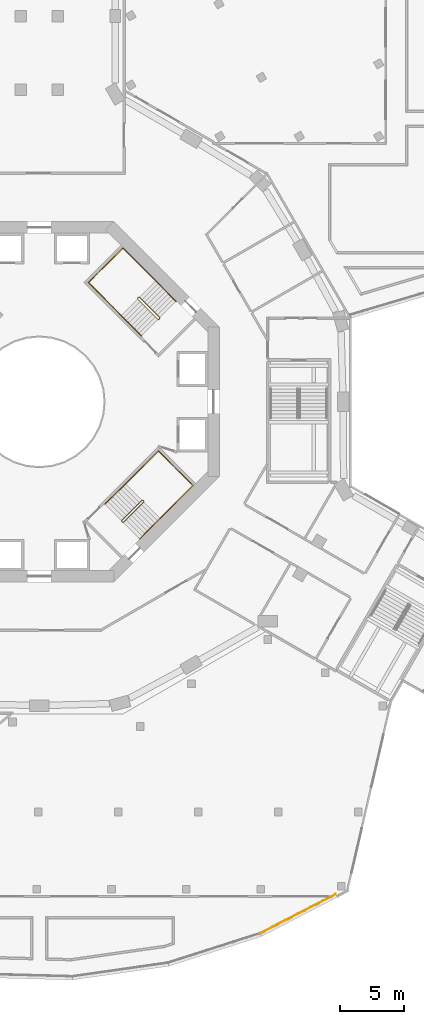
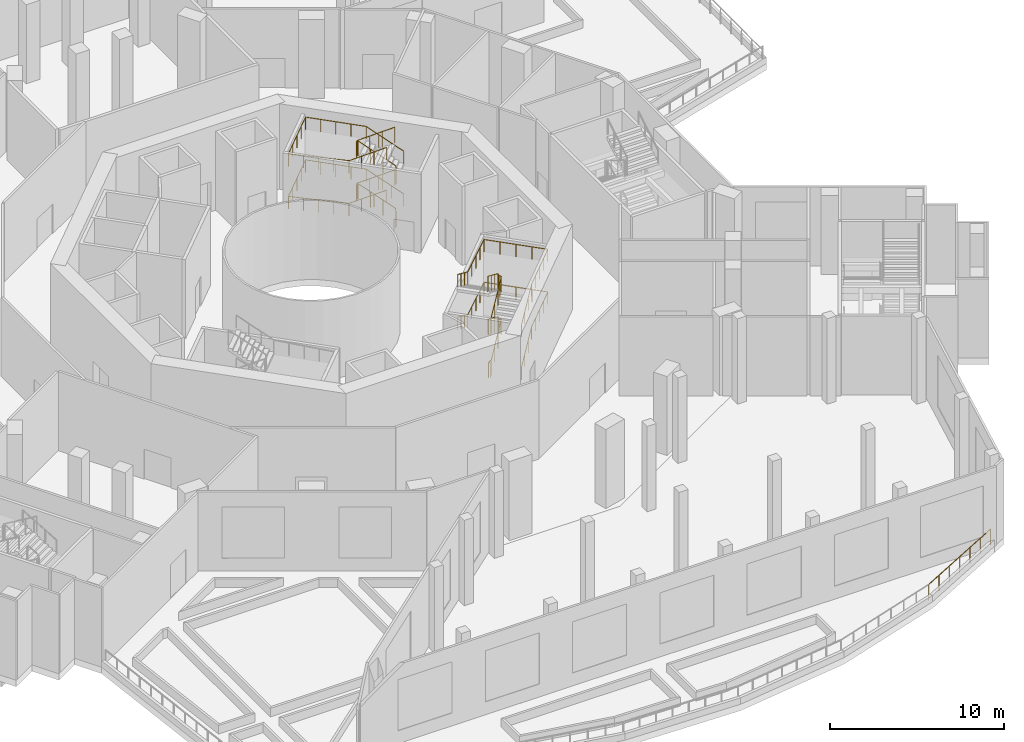
# One storey, part 25 of 29: 7 railings.
"""IFC4 building model written with IfcOpenShell, lengths in metres."""

from ifc_helpers import new_model, si_unit, direction, frame, origin, origin_2d, place, context, subcontext, project, spatial, circle, extrude, material, type_object, element, save


model = new_model("IFC4")

# Units and contexts
model_context = context("Model", 3, precision=1e-05, world=origin(), true_north=direction((0.0, 1.0)))
body_context = subcontext(model_context, "Body", "Model", "MODEL_VIEW")
ifc_project = project(units=[si_unit("LENGTHUNIT", "METRE"), si_unit("AREAUNIT", "SQUARE_METRE"), si_unit("VOLUMEUNIT", "CUBIC_METRE"), si_unit("PLANEANGLEUNIT", "RADIAN"), si_unit("MASSUNIT", "GRAM", prefix="KILO")], contexts=[model_context])

# Site, building, storey
site_placement = place(None, origin())
site = spatial("IfcSite", under=ifc_project, at=site_placement, CompositionType="ELEMENT")
building_placement = place(site_placement, origin())
building = spatial("IfcBuilding", under=site, at=building_placement, Name="Verdalira Terraces Hotel", CompositionType="ELEMENT")
storey_placement = place(building_placement, frame((0.0, 0.0, 8.0)))
storey = spatial("IfcBuildingStorey", under=building, at=storey_placement, Name="L01", CompositionType="ELEMENT", Elevation=8.0)

# Railings
ifc_material_1 = material(Name="Stainless steel", Category="steel")
railing_type_1 = type_object("IfcRailingType", Name="Stair guard 1100", PredefinedType="GUARDRAIL", material=ifc_material_1)
railing_1_placement = place(storey_placement, frame((9.369141, 6.469971, 0.0)))
element("IfcRailing", 1, at=railing_1_placement, inside=storey, type_object=railing_type_1, Name="L01 ST1 stair guard 1", PredefinedType="GUARDRAIL", context=body_context, shape_type="SweptSolid", body=[
    extrude(circle(Radius=0.023926, at=origin_2d()), frame((0.0, 0.0, 1.076172), z_axis=(-0.70832698, -0.705884473, 0.0), x_axis=(0.705884473, -0.70832698, 0.0)), (0.0, 0.0, 1.0), 0.099854),
    extrude(circle(Radius=0.023926, at=origin_2d()), frame((-0.070801, -0.070557, 1.076172), z_axis=(0.308122069, 0.615181649, 0.725680598), x_axis=(-0.894118129, 0.447831187, 0.0)), (0.0, 0.0, 1.0), 0.229736),
    extrude(circle(Radius=0.023926, at=origin_2d()), frame((0.0, 0.070801, 1.242676), z_axis=(-0.607628069, 0.607628069, 0.511445266), x_axis=(-0.707106781, -0.707106781, 0.0)), (0.0, 0.0, 1.0), 2.606934),
    extrude(circle(Radius=0.023926, at=origin_2d()), frame((-1.583984, 1.654785, 2.576172), z_axis=(-1.0, 0.0, 0.0), x_axis=(0.0, -1.0, 0.0)), (0.0, 0.0, 1.0), 0.070557),
    extrude(circle(Radius=0.023926, at=origin_2d()), frame((-1.654541, 1.654785, 2.576172), z_axis=(-0.707106781, -0.707106781, 0.0), x_axis=(0.707106781, -0.707106781, 0.0)), (0.0, 0.0, 1.0), 0.100098),
    extrude(circle(Radius=0.023926, at=origin_2d()), frame((-1.725342, 1.583984, 2.576172), z_axis=(0.0, -0.390826706, 0.920464277), x_axis=(1.0, 0.0, 0.0)), (0.0, 0.0, 1.0), 0.181152),
    extrude(circle(Radius=0.023926, at=origin_2d()), frame((-1.725342, 1.513184, 2.742676), z_axis=(0.607662647, -0.607568988, 0.511474371), x_axis=(0.707052281, 0.707161277, 0.0)), (0.0, 0.0, 1.0), 2.606689),
    extrude(circle(Radius=0.023926, at=origin_2d()), frame((-0.141357, -0.070557, 4.076172), z_axis=(1.0, 0.0, 0.0), x_axis=(0.0, 1.0, 0.0)), (0.0, 0.0, 1.0), 0.070557),
    extrude(circle(Radius=0.023926, at=origin_2d()), frame((-0.070801, -0.070557, 4.076172), z_axis=(0.70832698, 0.705884473, 0.0), x_axis=(-0.705884473, 0.70832698, 0.0)), (0.0, 0.0, 1.0), 0.099854),
    extrude(circle(Radius=0.023926, at=origin_2d()), frame((0.0, 0.0, 4.076172), z_axis=(0.0, 0.390826706, 0.920464277), x_axis=(-1.0, 0.0, 0.0)), (0.0, 0.0, 1.0), 0.181152),
    extrude(circle(Radius=0.023926, at=origin_2d()), frame((0.0, 0.070801, 4.242676), z_axis=(-0.607628069, 0.607628069, 0.511445266), x_axis=(-0.707106781, -0.707106781, 0.0)), (0.0, 0.0, 1.0), 2.606934),
    extrude(circle(Radius=0.023926, at=origin_2d()), frame((-1.583984, 1.654785, 5.576172), z_axis=(-1.0, 0.0, 0.0), x_axis=(0.0, -1.0, 0.0)), (0.0, 0.0, 1.0), 0.070557),
    extrude(circle(Radius=0.023926, at=origin_2d()), frame((-1.654541, 1.654785, 5.576172), z_axis=(-0.707106781, -0.707106781, 0.0), x_axis=(0.707106781, -0.707106781, 0.0)), (0.0, 0.0, 1.0), 0.100098),
    extrude(circle(Radius=0.023926, at=origin_2d()), frame((-1.725342, 1.583984, 5.576172), z_axis=(0.0, -0.390826706, 0.920464277), x_axis=(1.0, 0.0, 0.0)), (0.0, 0.0, 1.0), 0.181152),
    extrude(circle(Radius=0.023926, at=origin_2d()), frame((-1.725342, 1.513184, 5.742676), z_axis=(0.607662647, -0.607568988, 0.511474371), x_axis=(0.707052281, 0.707161277, 0.0)), (0.0, 0.0, 1.0), 2.606689),
    extrude(circle(Radius=0.020996, at=origin_2d()), origin(), (0.0, 0.0, 1.0), 1.052002),
    extrude(circle(Radius=0.020996, at=origin_2d()), frame((-0.070801, -0.070557, 0.0)), (0.0, 0.0, 1.0), 1.052002),
    extrude(circle(Radius=0.020996, at=origin_2d()), frame((0.0, 0.070801, 0.166748)), (0.0, 0.0, 1.0), 1.052002),
    extrude(circle(Radius=0.020996, at=origin_2d()), frame((-0.528076, 0.598877, 0.611084)), (0.0, 0.0, 1.0), 1.052002),
    extrude(circle(Radius=0.020996, at=origin_2d()), frame((-1.055908, 1.126709, 1.055664)), (0.0, 0.0, 1.0), 1.052002),
    extrude(circle(Radius=0.020996, at=origin_2d()), frame((-1.583984, 1.654785, 1.5)), (0.0, 0.0, 1.0), 1.052002),
    extrude(circle(Radius=0.020996, at=origin_2d()), frame((-1.654541, 1.654785, 1.5)), (0.0, 0.0, 1.0), 1.052002),
    extrude(circle(Radius=0.020996, at=origin_2d()), frame((-1.725342, 1.583984, 1.5)), (0.0, 0.0, 1.0), 1.052002),
    extrude(circle(Radius=0.020996, at=origin_2d()), frame((-1.725342, 1.513184, 1.666748)), (0.0, 0.0, 1.0), 1.052002),
    extrude(circle(Radius=0.020996, at=origin_2d()), frame((-1.197266, 0.985352, 2.111084)), (0.0, 0.0, 1.0), 1.052002),
    extrude(circle(Radius=0.020996, at=origin_2d()), frame((-0.669434, 0.457275, 2.555664)), (0.0, 0.0, 1.0), 1.052002),
    extrude(circle(Radius=0.020996, at=origin_2d()), frame((-0.141357, -0.070557, 3.0)), (0.0, 0.0, 1.0), 1.052002),
    extrude(circle(Radius=0.020996, at=origin_2d()), frame((-0.070801, -0.070557, 3.0)), (0.0, 0.0, 1.0), 1.052002),
    extrude(circle(Radius=0.020996, at=origin_2d()), frame((0.0, 0.0, 3.0)), (0.0, 0.0, 1.0), 1.052002),
    extrude(circle(Radius=0.020996, at=origin_2d()), frame((0.0, 0.070801, 3.166748)), (0.0, 0.0, 1.0), 1.052002),
    extrude(circle(Radius=0.020996, at=origin_2d()), frame((-0.528076, 0.598877, 3.611084)), (0.0, 0.0, 1.0), 1.052002),
    extrude(circle(Radius=0.020996, at=origin_2d()), frame((-1.055908, 1.126709, 4.055664)), (0.0, 0.0, 1.0), 1.052002),
    extrude(circle(Radius=0.020996, at=origin_2d()), frame((-1.583984, 1.654785, 4.5)), (0.0, 0.0, 1.0), 1.052002),
    extrude(circle(Radius=0.020996, at=origin_2d()), frame((-1.654541, 1.654785, 4.5)), (0.0, 0.0, 1.0), 1.052002),
    extrude(circle(Radius=0.020996, at=origin_2d()), frame((-1.725342, 1.583984, 4.5)), (0.0, 0.0, 1.0), 1.052002),
    extrude(circle(Radius=0.020996, at=origin_2d()), frame((-1.725342, 1.513184, 4.666748)), (0.0, 0.0, 1.0), 1.052002),
    extrude(circle(Radius=0.020996, at=origin_2d()), frame((-1.197266, 0.985352, 5.111084)), (0.0, 0.0, 1.0), 1.052002),
    extrude(circle(Radius=0.020996, at=origin_2d()), frame((-0.669434, 0.457275, 5.555664)), (0.0, 0.0, 1.0), 1.052002),
    extrude(circle(Radius=0.020996, at=origin_2d()), frame((-0.141357, -0.070557, 6.0)), (0.0, 0.0, 1.0), 1.052002),
])
railing_2_placement = place(storey_placement, frame((6.469971, -9.369141, 0.0)))
element("IfcRailing", 2, at=railing_2_placement, inside=storey, type_object=railing_type_1, Name="L01 ST3 stair guard 1", PredefinedType="GUARDRAIL", context=body_context, shape_type="SweptSolid", body=[
    extrude(circle(Radius=0.023926, at=origin_2d()), frame((0.0, 0.0, 1.076172), z_axis=(-0.705884473, 0.70832698, 0.0), x_axis=(-0.70832698, -0.705884473, 0.0)), (0.0, 0.0, 1.0), 0.099854),
    extrude(circle(Radius=0.023926, at=origin_2d()), frame((-0.070557, 0.070801, 1.076172), z_axis=(0.615181649, -0.308122069, 0.725680598), x_axis=(0.447831187, 0.894118129, 0.0)), (0.0, 0.0, 1.0), 0.229736),
    extrude(circle(Radius=0.023926, at=origin_2d()), frame((0.070801, 0.0, 1.242676), z_axis=(0.607628069, 0.607628069, 0.511445266), x_axis=(-0.707106781, 0.707106781, 0.0)), (0.0, 0.0, 1.0), 2.606934),
    extrude(circle(Radius=0.023926, at=origin_2d()), frame((1.654785, 1.583984, 2.576172), z_axis=(0.0, 1.0, 0.0), x_axis=(-1.0, 0.0, 0.0)), (0.0, 0.0, 1.0), 0.070557),
    extrude(circle(Radius=0.023926, at=origin_2d()), frame((1.654785, 1.654541, 2.576172), z_axis=(-0.707106781, 0.707106781, 0.0), x_axis=(-0.707106781, -0.707106781, 0.0)), (0.0, 0.0, 1.0), 0.100098),
    extrude(circle(Radius=0.023926, at=origin_2d()), frame((1.583984, 1.725342, 2.576172), z_axis=(-0.390826706, 0.0, 0.920464277), x_axis=(0.0, -1.0, 0.0)), (0.0, 0.0, 1.0), 0.181152),
    extrude(circle(Radius=0.023926, at=origin_2d()), frame((1.513184, 1.725342, 2.742676), z_axis=(-0.607568988, -0.607662647, 0.511474371), x_axis=(0.707161277, -0.707052281, 0.0)), (0.0, 0.0, 1.0), 2.606689),
    extrude(circle(Radius=0.023926, at=origin_2d()), frame((-0.070557, 0.141357, 4.076172), z_axis=(0.0, -1.0, 0.0), x_axis=(1.0, 0.0, 0.0)), (0.0, 0.0, 1.0), 0.070557),
    extrude(circle(Radius=0.023926, at=origin_2d()), frame((-0.070557, 0.070801, 4.076172), z_axis=(0.705884473, -0.70832698, 0.0), x_axis=(0.70832698, 0.705884473, 0.0)), (0.0, 0.0, 1.0), 0.099854),
    extrude(circle(Radius=0.023926, at=origin_2d()), frame((0.0, 0.0, 4.076172), z_axis=(0.390826706, 0.0, 0.920464277), x_axis=(0.0, 1.0, 0.0)), (0.0, 0.0, 1.0), 0.181152),
    extrude(circle(Radius=0.023926, at=origin_2d()), frame((0.070801, 0.0, 4.242676), z_axis=(0.607628069, 0.607628069, 0.511445266), x_axis=(-0.707106781, 0.707106781, 0.0)), (0.0, 0.0, 1.0), 2.606934),
    extrude(circle(Radius=0.023926, at=origin_2d()), frame((1.654785, 1.583984, 5.576172), z_axis=(0.0, 1.0, 0.0), x_axis=(-1.0, 0.0, 0.0)), (0.0, 0.0, 1.0), 0.070557),
    extrude(circle(Radius=0.023926, at=origin_2d()), frame((1.654785, 1.654541, 5.576172), z_axis=(-0.707106781, 0.707106781, 0.0), x_axis=(-0.707106781, -0.707106781, 0.0)), (0.0, 0.0, 1.0), 0.100098),
    extrude(circle(Radius=0.023926, at=origin_2d()), frame((1.583984, 1.725342, 5.576172), z_axis=(-0.390826706, 0.0, 0.920464277), x_axis=(0.0, -1.0, 0.0)), (0.0, 0.0, 1.0), 0.181152),
    extrude(circle(Radius=0.023926, at=origin_2d()), frame((1.513184, 1.725342, 5.742676), z_axis=(-0.607568988, -0.607662647, 0.511474371), x_axis=(0.707161277, -0.707052281, 0.0)), (0.0, 0.0, 1.0), 2.606689),
    extrude(circle(Radius=0.020996, at=origin_2d()), origin(), (0.0, 0.0, 1.0), 1.052002),
    extrude(circle(Radius=0.020996, at=origin_2d()), frame((-0.070557, 0.070801, 0.0)), (0.0, 0.0, 1.0), 1.052002),
    extrude(circle(Radius=0.020996, at=origin_2d()), frame((0.070801, 0.0, 0.166748)), (0.0, 0.0, 1.0), 1.052002),
    extrude(circle(Radius=0.020996, at=origin_2d()), frame((0.598877, 0.528076, 0.611084)), (0.0, 0.0, 1.0), 1.052002),
    extrude(circle(Radius=0.020996, at=origin_2d()), frame((1.126709, 1.055908, 1.055664)), (0.0, 0.0, 1.0), 1.052002),
    extrude(circle(Radius=0.020996, at=origin_2d()), frame((1.654785, 1.583984, 1.5)), (0.0, 0.0, 1.0), 1.052002),
    extrude(circle(Radius=0.020996, at=origin_2d()), frame((1.654785, 1.654541, 1.5)), (0.0, 0.0, 1.0), 1.052002),
    extrude(circle(Radius=0.020996, at=origin_2d()), frame((1.583984, 1.725342, 1.5)), (0.0, 0.0, 1.0), 1.052002),
    extrude(circle(Radius=0.020996, at=origin_2d()), frame((1.513184, 1.725342, 1.666748)), (0.0, 0.0, 1.0), 1.052002),
    extrude(circle(Radius=0.020996, at=origin_2d()), frame((0.985352, 1.197266, 2.111084)), (0.0, 0.0, 1.0), 1.052002),
    extrude(circle(Radius=0.020996, at=origin_2d()), frame((0.457275, 0.669434, 2.555664)), (0.0, 0.0, 1.0), 1.052002),
    extrude(circle(Radius=0.020996, at=origin_2d()), frame((-0.070557, 0.141357, 3.0)), (0.0, 0.0, 1.0), 1.052002),
    extrude(circle(Radius=0.020996, at=origin_2d()), frame((-0.070557, 0.070801, 3.0)), (0.0, 0.0, 1.0), 1.052002),
    extrude(circle(Radius=0.020996, at=origin_2d()), frame((0.0, 0.0, 3.0)), (0.0, 0.0, 1.0), 1.052002),
    extrude(circle(Radius=0.020996, at=origin_2d()), frame((0.070801, 0.0, 3.166748)), (0.0, 0.0, 1.0), 1.052002),
    extrude(circle(Radius=0.020996, at=origin_2d()), frame((0.598877, 0.528076, 3.611084)), (0.0, 0.0, 1.0), 1.052002),
    extrude(circle(Radius=0.020996, at=origin_2d()), frame((1.126709, 1.055908, 4.055664)), (0.0, 0.0, 1.0), 1.052002),
    extrude(circle(Radius=0.020996, at=origin_2d()), frame((1.654785, 1.583984, 4.5)), (0.0, 0.0, 1.0), 1.052002),
    extrude(circle(Radius=0.020996, at=origin_2d()), frame((1.654785, 1.654541, 4.5)), (0.0, 0.0, 1.0), 1.052002),
    extrude(circle(Radius=0.020996, at=origin_2d()), frame((1.583984, 1.725342, 4.5)), (0.0, 0.0, 1.0), 1.052002),
    extrude(circle(Radius=0.020996, at=origin_2d()), frame((1.513184, 1.725342, 4.666748)), (0.0, 0.0, 1.0), 1.052002),
    extrude(circle(Radius=0.020996, at=origin_2d()), frame((0.985352, 1.197266, 5.111084)), (0.0, 0.0, 1.0), 1.052002),
    extrude(circle(Radius=0.020996, at=origin_2d()), frame((0.457275, 0.669434, 5.555664)), (0.0, 0.0, 1.0), 1.052002),
    extrude(circle(Radius=0.020996, at=origin_2d()), frame((-0.070557, 0.141357, 6.0)), (0.0, 0.0, 1.0), 1.052002),
])
ifc_material_2 = material(Name="Stainless steel", Category="steel")
railing_type_2 = type_object("IfcRailingType", Name="Stair handrail 900", PredefinedType="HANDRAIL", material=ifc_material_2)
railing_3_placement = place(storey_placement, frame((10.641846, 7.813477, 0.166748)))
element("IfcRailing", 3, at=railing_3_placement, inside=storey, type_object=railing_type_2, Name="L01 ST1 stair handrail 1", PredefinedType="HANDRAIL", context=body_context, shape_type="SweptSolid", body=[
    extrude(circle(Radius=0.023926, at=origin_2d()), frame((0.0, 0.0, 0.875977), z_axis=(-0.607568988, 0.607662647, 0.511474371), x_axis=(-0.707161277, -0.707052281, 0.0)), (0.0, 0.0, 1.0), 2.606689),
    extrude(circle(Radius=0.023926, at=origin_2d()), frame((-1.58374, 1.583984, 2.208984), z_axis=(-0.707106781, 0.707106781, 0.0), x_axis=(-0.707106781, -0.707106781, 0.0)), (0.0, 0.0, 1.0), 3.610107),
    extrude(circle(Radius=0.023926, at=origin_2d()), frame((-4.136475, 4.136719, 2.208984), z_axis=(-0.707106781, -0.707106781, 0.0), x_axis=(0.707106781, -0.707106781, 0.0)), (0.0, 0.0, 1.0), 3.800049),
    extrude(circle(Radius=0.023926, at=origin_2d()), frame((-6.823486, 1.449707, 2.208984), z_axis=(0.706353701, -0.706353701, 0.046139975), x_axis=(0.707106781, 0.707106781, 0.0)), (0.0, 0.0, 1.0), 3.614014),
    extrude(circle(Radius=0.023926, at=origin_2d()), frame((-4.270752, -1.103027, 2.375977), z_axis=(0.607568988, -0.607662647, 0.511474371), x_axis=(0.707161277, 0.707052281, 0.0)), (0.0, 0.0, 1.0), 2.606689),
    extrude(circle(Radius=0.020996, at=origin_2d()), origin(), (0.0, 0.0, 1.0), 0.851807),
    extrude(circle(Radius=0.020996, at=origin_2d()), frame((-0.527832, 0.528076, 0.444336)), (0.0, 0.0, 1.0), 0.851807),
    extrude(circle(Radius=0.020996, at=origin_2d()), frame((-1.055908, 1.055908, 0.888916)), (0.0, 0.0, 1.0), 0.851807),
    extrude(circle(Radius=0.020996, at=origin_2d()), frame((-1.58374, 1.583984, 1.333252)), (0.0, 0.0, 1.0), 0.851807),
    extrude(circle(Radius=0.020996, at=origin_2d()), frame((-2.221924, 2.222168, 1.333252)), (0.0, 0.0, 1.0), 0.851807),
    extrude(circle(Radius=0.020996, at=origin_2d()), frame((-2.860107, 2.860352, 1.333252)), (0.0, 0.0, 1.0), 0.851807),
    extrude(circle(Radius=0.020996, at=origin_2d()), frame((-3.498291, 3.498535, 1.333252)), (0.0, 0.0, 1.0), 0.851807),
    extrude(circle(Radius=0.020996, at=origin_2d()), frame((-4.136475, 4.136719, 1.333252)), (0.0, 0.0, 1.0), 0.851807),
    extrude(circle(Radius=0.020996, at=origin_2d()), frame((-4.808105, 3.464844, 1.333252)), (0.0, 0.0, 1.0), 0.851807),
    extrude(circle(Radius=0.020996, at=origin_2d()), frame((-5.47998, 2.793213, 1.333252)), (0.0, 0.0, 1.0), 0.851807),
    extrude(circle(Radius=0.020996, at=origin_2d()), frame((-6.151855, 2.121582, 1.333252)), (0.0, 0.0, 1.0), 0.851807),
    extrude(circle(Radius=0.020996, at=origin_2d()), frame((-6.823486, 1.449707, 1.333252)), (0.0, 0.0, 1.0), 0.851807),
    extrude(circle(Radius=0.020996, at=origin_2d()), frame((-6.185303, 0.811523, 1.375)), (0.0, 0.0, 1.0), 0.851807),
    extrude(circle(Radius=0.020996, at=origin_2d()), frame((-5.547119, 0.17334, 1.416504)), (0.0, 0.0, 1.0), 0.851807),
    extrude(circle(Radius=0.020996, at=origin_2d()), frame((-4.908936, -0.464844, 1.458252)), (0.0, 0.0, 1.0), 0.851807),
    extrude(circle(Radius=0.020996, at=origin_2d()), frame((-4.270752, -1.103027, 1.5)), (0.0, 0.0, 1.0), 0.851807),
    extrude(circle(Radius=0.020996, at=origin_2d()), frame((-3.74292, -1.631104, 1.944336)), (0.0, 0.0, 1.0), 0.851807),
    extrude(circle(Radius=0.020996, at=origin_2d()), frame((-3.214844, -2.158936, 2.388916)), (0.0, 0.0, 1.0), 0.851807),
    extrude(circle(Radius=0.020996, at=origin_2d()), frame((-2.687012, -2.687012, 2.833252)), (0.0, 0.0, 1.0), 0.851807),
])
railing_4_placement = place(storey_placement, frame((10.641846, 7.813477, 3.166748)))
element("IfcRailing", 4, at=railing_4_placement, inside=storey, type_object=railing_type_2, Name="L01 ST1 stair handrail 2", PredefinedType="HANDRAIL", context=body_context, shape_type="SweptSolid", body=[
    extrude(circle(Radius=0.023926, at=origin_2d()), frame((0.0, 0.0, 0.875977), z_axis=(-0.607568988, 0.607662647, 0.511474371), x_axis=(-0.707161277, -0.707052281, 0.0)), (0.0, 0.0, 1.0), 2.606689),
    extrude(circle(Radius=0.023926, at=origin_2d()), frame((-1.58374, 1.583984, 2.208984), z_axis=(-0.707106781, 0.707106781, 0.0), x_axis=(-0.707106781, -0.707106781, 0.0)), (0.0, 0.0, 1.0), 3.610107),
    extrude(circle(Radius=0.023926, at=origin_2d()), frame((-4.136475, 4.136719, 2.208984), z_axis=(-0.707106781, -0.707106781, 0.0), x_axis=(0.707106781, -0.707106781, 0.0)), (0.0, 0.0, 1.0), 3.800049),
    extrude(circle(Radius=0.023926, at=origin_2d()), frame((-6.823486, 1.449707, 2.208984), z_axis=(0.706353701, -0.706353701, 0.046139975), x_axis=(0.707106781, 0.707106781, 0.0)), (0.0, 0.0, 1.0), 3.614014),
    extrude(circle(Radius=0.023926, at=origin_2d()), frame((-4.270752, -1.103027, 2.375977), z_axis=(0.607568988, -0.607662647, 0.511474371), x_axis=(0.707161277, 0.707052281, 0.0)), (0.0, 0.0, 1.0), 2.606689),
    extrude(circle(Radius=0.020996, at=origin_2d()), origin(), (0.0, 0.0, 1.0), 0.851807),
    extrude(circle(Radius=0.020996, at=origin_2d()), frame((-0.527832, 0.528076, 0.444336)), (0.0, 0.0, 1.0), 0.851807),
    extrude(circle(Radius=0.020996, at=origin_2d()), frame((-1.055908, 1.055908, 0.888916)), (0.0, 0.0, 1.0), 0.851807),
    extrude(circle(Radius=0.020996, at=origin_2d()), frame((-1.58374, 1.583984, 1.333252)), (0.0, 0.0, 1.0), 0.851807),
    extrude(circle(Radius=0.020996, at=origin_2d()), frame((-2.221924, 2.222168, 1.333252)), (0.0, 0.0, 1.0), 0.851807),
    extrude(circle(Radius=0.020996, at=origin_2d()), frame((-2.860107, 2.860352, 1.333252)), (0.0, 0.0, 1.0), 0.851807),
    extrude(circle(Radius=0.020996, at=origin_2d()), frame((-3.498291, 3.498535, 1.333252)), (0.0, 0.0, 1.0), 0.851807),
    extrude(circle(Radius=0.020996, at=origin_2d()), frame((-4.136475, 4.136719, 1.333252)), (0.0, 0.0, 1.0), 0.851807),
    extrude(circle(Radius=0.020996, at=origin_2d()), frame((-4.808105, 3.464844, 1.333252)), (0.0, 0.0, 1.0), 0.851807),
    extrude(circle(Radius=0.020996, at=origin_2d()), frame((-5.47998, 2.793213, 1.333252)), (0.0, 0.0, 1.0), 0.851807),
    extrude(circle(Radius=0.020996, at=origin_2d()), frame((-6.151855, 2.121582, 1.333252)), (0.0, 0.0, 1.0), 0.851807),
    extrude(circle(Radius=0.020996, at=origin_2d()), frame((-6.823486, 1.449707, 1.333252)), (0.0, 0.0, 1.0), 0.851807),
    extrude(circle(Radius=0.020996, at=origin_2d()), frame((-6.185303, 0.811523, 1.375)), (0.0, 0.0, 1.0), 0.851807),
    extrude(circle(Radius=0.020996, at=origin_2d()), frame((-5.547119, 0.17334, 1.416504)), (0.0, 0.0, 1.0), 0.851807),
    extrude(circle(Radius=0.020996, at=origin_2d()), frame((-4.908936, -0.464844, 1.458252)), (0.0, 0.0, 1.0), 0.851807),
    extrude(circle(Radius=0.020996, at=origin_2d()), frame((-4.270752, -1.103027, 1.5)), (0.0, 0.0, 1.0), 0.851807),
    extrude(circle(Radius=0.020996, at=origin_2d()), frame((-3.74292, -1.631104, 1.944336)), (0.0, 0.0, 1.0), 0.851807),
    extrude(circle(Radius=0.020996, at=origin_2d()), frame((-3.214844, -2.158936, 2.388916)), (0.0, 0.0, 1.0), 0.851807),
    extrude(circle(Radius=0.020996, at=origin_2d()), frame((-2.687012, -2.687012, 2.833252)), (0.0, 0.0, 1.0), 0.851807),
])
railing_5_placement = place(storey_placement, frame((7.813477, -10.641846, 0.166748)))
element("IfcRailing", 5, at=railing_5_placement, inside=storey, type_object=railing_type_2, Name="L01 ST3 stair handrail 1", PredefinedType="HANDRAIL", context=body_context, shape_type="SweptSolid", body=[
    extrude(circle(Radius=0.023926, at=origin_2d()), frame((0.0, 0.0, 0.875977), z_axis=(0.607662647, 0.607568988, 0.511474371), x_axis=(-0.707052281, 0.707161277, 0.0)), (0.0, 0.0, 1.0), 2.606689),
    extrude(circle(Radius=0.023926, at=origin_2d()), frame((1.583984, 1.58374, 2.208984), z_axis=(0.707106781, 0.707106781, 0.0), x_axis=(-0.707106781, 0.707106781, 0.0)), (0.0, 0.0, 1.0), 3.610107),
    extrude(circle(Radius=0.023926, at=origin_2d()), frame((4.136719, 4.136475, 2.208984), z_axis=(-0.707106781, 0.707106781, 0.0), x_axis=(-0.707106781, -0.707106781, 0.0)), (0.0, 0.0, 1.0), 3.800049),
    extrude(circle(Radius=0.023926, at=origin_2d()), frame((1.449707, 6.823486, 2.208984), z_axis=(-0.706353701, -0.706353701, 0.046139975), x_axis=(0.707106781, -0.707106781, 0.0)), (0.0, 0.0, 1.0), 3.614014),
    extrude(circle(Radius=0.023926, at=origin_2d()), frame((-1.103027, 4.270752, 2.375977), z_axis=(-0.607662647, -0.607568988, 0.511474371), x_axis=(0.707052281, -0.707161277, 0.0)), (0.0, 0.0, 1.0), 2.606689),
    extrude(circle(Radius=0.020996, at=origin_2d()), origin(), (0.0, 0.0, 1.0), 0.851807),
    extrude(circle(Radius=0.020996, at=origin_2d()), frame((0.528076, 0.527832, 0.444336)), (0.0, 0.0, 1.0), 0.851807),
    extrude(circle(Radius=0.020996, at=origin_2d()), frame((1.055908, 1.055908, 0.888916)), (0.0, 0.0, 1.0), 0.851807),
    extrude(circle(Radius=0.020996, at=origin_2d()), frame((1.583984, 1.58374, 1.333252)), (0.0, 0.0, 1.0), 0.851807),
    extrude(circle(Radius=0.020996, at=origin_2d()), frame((2.222168, 2.221924, 1.333252)), (0.0, 0.0, 1.0), 0.851807),
    extrude(circle(Radius=0.020996, at=origin_2d()), frame((2.860352, 2.860107, 1.333252)), (0.0, 0.0, 1.0), 0.851807),
    extrude(circle(Radius=0.020996, at=origin_2d()), frame((3.498535, 3.498291, 1.333252)), (0.0, 0.0, 1.0), 0.851807),
    extrude(circle(Radius=0.020996, at=origin_2d()), frame((4.136719, 4.136475, 1.333252)), (0.0, 0.0, 1.0), 0.851807),
    extrude(circle(Radius=0.020996, at=origin_2d()), frame((3.464844, 4.808105, 1.333252)), (0.0, 0.0, 1.0), 0.851807),
    extrude(circle(Radius=0.020996, at=origin_2d()), frame((2.793213, 5.47998, 1.333252)), (0.0, 0.0, 1.0), 0.851807),
    extrude(circle(Radius=0.020996, at=origin_2d()), frame((2.121582, 6.151855, 1.333252)), (0.0, 0.0, 1.0), 0.851807),
    extrude(circle(Radius=0.020996, at=origin_2d()), frame((1.449707, 6.823486, 1.333252)), (0.0, 0.0, 1.0), 0.851807),
    extrude(circle(Radius=0.020996, at=origin_2d()), frame((0.811523, 6.185303, 1.375)), (0.0, 0.0, 1.0), 0.851807),
    extrude(circle(Radius=0.020996, at=origin_2d()), frame((0.17334, 5.547119, 1.416504)), (0.0, 0.0, 1.0), 0.851807),
    extrude(circle(Radius=0.020996, at=origin_2d()), frame((-0.464844, 4.908936, 1.458252)), (0.0, 0.0, 1.0), 0.851807),
    extrude(circle(Radius=0.020996, at=origin_2d()), frame((-1.103027, 4.270752, 1.5)), (0.0, 0.0, 1.0), 0.851807),
    extrude(circle(Radius=0.020996, at=origin_2d()), frame((-1.631104, 3.74292, 1.944336)), (0.0, 0.0, 1.0), 0.851807),
    extrude(circle(Radius=0.020996, at=origin_2d()), frame((-2.158936, 3.214844, 2.388916)), (0.0, 0.0, 1.0), 0.851807),
    extrude(circle(Radius=0.020996, at=origin_2d()), frame((-2.687012, 2.687012, 2.833252)), (0.0, 0.0, 1.0), 0.851807),
])
railing_6_placement = place(storey_placement, frame((7.813477, -10.641846, 3.166748)))
element("IfcRailing", 6, at=railing_6_placement, inside=storey, type_object=railing_type_2, Name="L01 ST3 stair handrail 2", PredefinedType="HANDRAIL", context=body_context, shape_type="SweptSolid", body=[
    extrude(circle(Radius=0.023926, at=origin_2d()), frame((0.0, 0.0, 0.875977), z_axis=(0.607662647, 0.607568988, 0.511474371), x_axis=(-0.707052281, 0.707161277, 0.0)), (0.0, 0.0, 1.0), 2.606689),
    extrude(circle(Radius=0.023926, at=origin_2d()), frame((1.583984, 1.58374, 2.208984), z_axis=(0.707106781, 0.707106781, 0.0), x_axis=(-0.707106781, 0.707106781, 0.0)), (0.0, 0.0, 1.0), 3.610107),
    extrude(circle(Radius=0.023926, at=origin_2d()), frame((4.136719, 4.136475, 2.208984), z_axis=(-0.707106781, 0.707106781, 0.0), x_axis=(-0.707106781, -0.707106781, 0.0)), (0.0, 0.0, 1.0), 3.800049),
    extrude(circle(Radius=0.023926, at=origin_2d()), frame((1.449707, 6.823486, 2.208984), z_axis=(-0.706353701, -0.706353701, 0.046139975), x_axis=(0.707106781, -0.707106781, 0.0)), (0.0, 0.0, 1.0), 3.614014),
    extrude(circle(Radius=0.023926, at=origin_2d()), frame((-1.103027, 4.270752, 2.375977), z_axis=(-0.607662647, -0.607568988, 0.511474371), x_axis=(0.707052281, -0.707161277, 0.0)), (0.0, 0.0, 1.0), 2.606689),
    extrude(circle(Radius=0.020996, at=origin_2d()), origin(), (0.0, 0.0, 1.0), 0.851807),
    extrude(circle(Radius=0.020996, at=origin_2d()), frame((0.528076, 0.527832, 0.444336)), (0.0, 0.0, 1.0), 0.851807),
    extrude(circle(Radius=0.020996, at=origin_2d()), frame((1.055908, 1.055908, 0.888916)), (0.0, 0.0, 1.0), 0.851807),
    extrude(circle(Radius=0.020996, at=origin_2d()), frame((1.583984, 1.58374, 1.333252)), (0.0, 0.0, 1.0), 0.851807),
    extrude(circle(Radius=0.020996, at=origin_2d()), frame((2.222168, 2.221924, 1.333252)), (0.0, 0.0, 1.0), 0.851807),
    extrude(circle(Radius=0.020996, at=origin_2d()), frame((2.860352, 2.860107, 1.333252)), (0.0, 0.0, 1.0), 0.851807),
    extrude(circle(Radius=0.020996, at=origin_2d()), frame((3.498535, 3.498291, 1.333252)), (0.0, 0.0, 1.0), 0.851807),
    extrude(circle(Radius=0.020996, at=origin_2d()), frame((4.136719, 4.136475, 1.333252)), (0.0, 0.0, 1.0), 0.851807),
    extrude(circle(Radius=0.020996, at=origin_2d()), frame((3.464844, 4.808105, 1.333252)), (0.0, 0.0, 1.0), 0.851807),
    extrude(circle(Radius=0.020996, at=origin_2d()), frame((2.793213, 5.47998, 1.333252)), (0.0, 0.0, 1.0), 0.851807),
    extrude(circle(Radius=0.020996, at=origin_2d()), frame((2.121582, 6.151855, 1.333252)), (0.0, 0.0, 1.0), 0.851807),
    extrude(circle(Radius=0.020996, at=origin_2d()), frame((1.449707, 6.823486, 1.333252)), (0.0, 0.0, 1.0), 0.851807),
    extrude(circle(Radius=0.020996, at=origin_2d()), frame((0.811523, 6.185303, 1.375)), (0.0, 0.0, 1.0), 0.851807),
    extrude(circle(Radius=0.020996, at=origin_2d()), frame((0.17334, 5.547119, 1.416504)), (0.0, 0.0, 1.0), 0.851807),
    extrude(circle(Radius=0.020996, at=origin_2d()), frame((-0.464844, 4.908936, 1.458252)), (0.0, 0.0, 1.0), 0.851807),
    extrude(circle(Radius=0.020996, at=origin_2d()), frame((-1.103027, 4.270752, 1.5)), (0.0, 0.0, 1.0), 0.851807),
    extrude(circle(Radius=0.020996, at=origin_2d()), frame((-1.631104, 3.74292, 1.944336)), (0.0, 0.0, 1.0), 0.851807),
    extrude(circle(Radius=0.020996, at=origin_2d()), frame((-2.158936, 3.214844, 2.388916)), (0.0, 0.0, 1.0), 0.851807),
    extrude(circle(Radius=0.020996, at=origin_2d()), frame((-2.687012, 2.687012, 2.833252)), (0.0, 0.0, 1.0), 0.851807),
])
ifc_material_3 = material(Name="Clear laminated glass", Category="glass")
railing_type_3 = type_object("IfcRailingType", Name="Terrace glass guard 1120", PredefinedType="GUARDRAIL", material=ifc_material_3)
railing_7_placement = place(storey_placement, frame((17.174072, -41.289795, 0.0)))
element("IfcRailing", 7, at=railing_7_placement, inside=storey, type_object=railing_type_3, Name="Terrace guard", PredefinedType="GUARDRAIL", context=body_context, shape_type="SweptSolid", body=[
    extrude(circle(Radius=0.023926, at=origin_2d()), frame((0.0, 0.0, 1.096191), z_axis=(0.887753972, 0.460318244, 0.0), x_axis=(-0.460318244, 0.887753972, 0.0)), (0.0, 0.0, 1.0), 6.600586),
    extrude(circle(Radius=0.020996, at=origin_2d()), origin(), (0.0, 0.0, 1.0), 1.072021),
    extrude(circle(Radius=0.020996, at=origin_2d()), frame((0.976562, 0.506348, 0.0)), (0.0, 0.0, 1.0), 1.072021),
    extrude(circle(Radius=0.020996, at=origin_2d()), frame((1.953125, 1.012695, 0.0)), (0.0, 0.0, 1.0), 1.072021),
    extrude(circle(Radius=0.020996, at=origin_2d()), frame((2.929688, 1.519043, 0.0)), (0.0, 0.0, 1.0), 1.072021),
    extrude(circle(Radius=0.020996, at=origin_2d()), frame((3.906494, 2.025635, 0.0)), (0.0, 0.0, 1.0), 1.072021),
    extrude(circle(Radius=0.020996, at=origin_2d()), frame((4.883057, 2.531982, 0.0)), (0.0, 0.0, 1.0), 1.072021),
    extrude(circle(Radius=0.020996, at=origin_2d()), frame((5.859619, 3.03833, 0.0)), (0.0, 0.0, 1.0), 1.072021),
])

save(model, "model.ifc")
